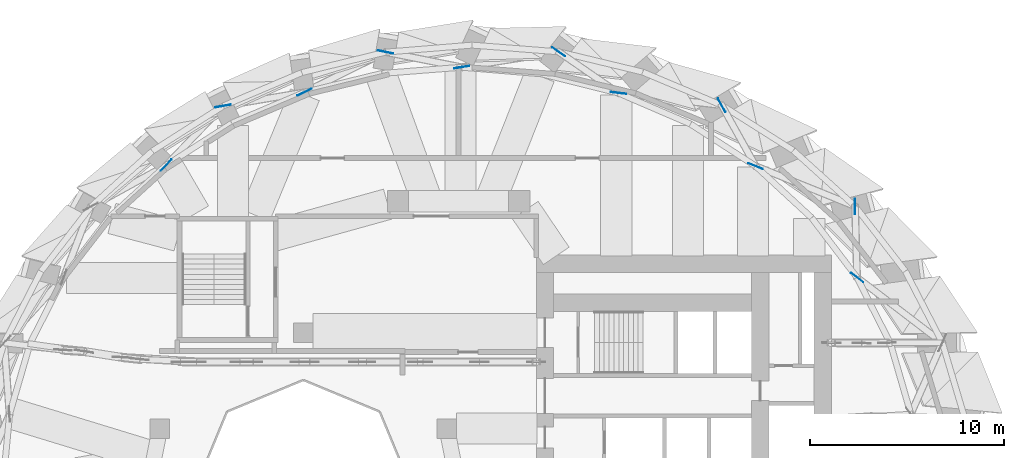
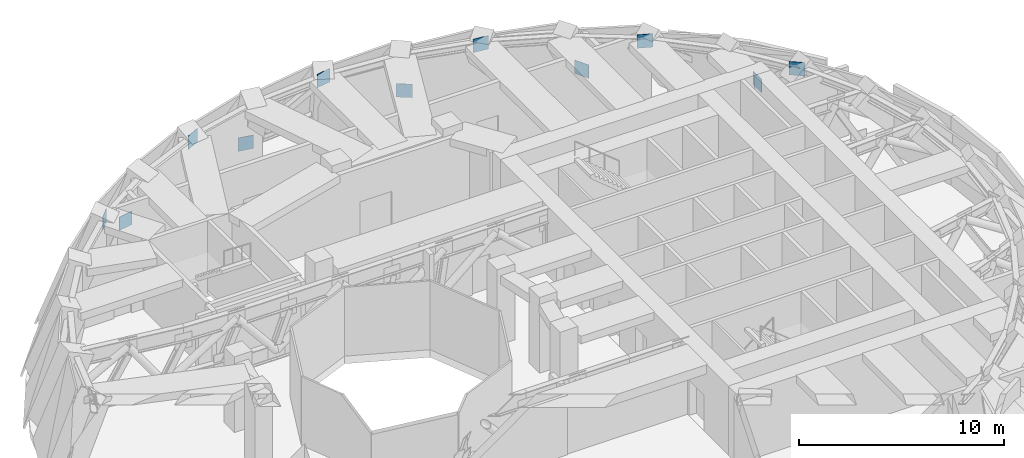
# One storey, part 12 of 14: 11 discrete accessories.
"""IFC4 building model written with IfcOpenShell, lengths in metres."""

from ifc_helpers import new_model, si_unit, direction, frame, origin, origin_2d, place, context, subcontext, project, spatial, rectangle, extrude, material, type_object, element, save


model = new_model("IFC4")

# Units and contexts
model_context = context("Model", 3, precision=1e-05, world=origin(), true_north=direction((0.0, 1.0)))
body_context = subcontext(model_context, "Body", "Model", "MODEL_VIEW")
ifc_project = project(units=[si_unit("LENGTHUNIT", "METRE"), si_unit("AREAUNIT", "SQUARE_METRE"), si_unit("VOLUMEUNIT", "CUBIC_METRE"), si_unit("PLANEANGLEUNIT", "RADIAN"), si_unit("MASSUNIT", "GRAM", prefix="KILO")], contexts=[model_context])

# Site, building, storey
site_placement = place(None, origin())
site = spatial("IfcSite", under=ifc_project, at=site_placement, CompositionType="ELEMENT")
building_placement = place(site_placement, origin())
building = spatial("IfcBuilding", under=site, at=building_placement, Name="Taillehof Tower", CompositionType="ELEMENT")
storey_placement = place(building_placement, frame((0.0, 0.0, 135.10009765625)))
storey = spatial("IfcBuildingStorey", under=building, at=storey_placement, Name="L38", CompositionType="ELEMENT", Elevation=135.10009765625)

# Discrete accessories
ifc_material = material(Name="Steel S460M", Category="steel")
discrete_accessory_type = type_object("IfcDiscreteAccessoryType", Name="Steel gusset plate", PredefinedType="BRACKET", material=ifc_material)
for number, where, z_axis, x_axis, name in (
    (1, (-15.070068359375, 16.6298828125, 3.4697265625), (0.0, 0.0, 1.0), (-0.693011871133, -0.720926172689, 0.0), "Gusset plate 154"),
    (2, (-12.1298828125, 19.679931640625, 0.5), (0.0, 0.0, 1.0), (-0.986187197583, -0.165634571646, 0.0), "Gusset plate 159"),
    (3, (-7.93994140625, 20.389892578125, 3.4697265625), (0.0, 0.0, 1.0), (-0.896009556408, -0.444034767586, 0.0), "Gusset plate 162"),
    (4, (-3.760009765625, 22.4599609375, 0.5), (0.0, 0.0, 1.0), (-0.980913096018, 0.194446645796, 0.0), "Gusset plate 168"),
    (5, (0.159912109375, 21.679931640625, 3.4697265625), (0.0, 0.0, 1.0), (-0.987577242599, -0.157134305296, 0.0), "Gusset plate 174"),
    (6, (5.14990234375, 22.469970703125, 0.5), (0.0, 0.0, 1.0), (-0.82348111054, 0.567343688238, 0.0), "Gusset plate 179"),
    (7, (8.22998046875, 20.35009765625, 3.4697265625), (0.0, 0.0, 1.0), (-0.993016665257, 0.117974160395, 0.0), "Gusset plate 182"),
    (8, (13.550048828125, 19.719970703125, 0.5), (0.0, 0.0, 1.0), (-0.48630182962, 0.873790896329, 0.0), "Gusset plate 183"),
    (9, (15.300048828125, 16.580078125, 3.4697265625), (0.0, 0.0, 1.0), (-0.927250528682, 0.374441526888, 0.0), "Gusset plate 186"),
    (10, (20.419921875, 14.510009765625, 0.5), (0.0, 0.0, 1.0), (-0.027878022478, 0.9996113324, 0.0), "Gusset plate 191"),
    (11, (20.530029296875, 10.840087890625, 3.4697265625), (0.0, 0.0, 1.0), (-0.794467621051, 0.607306511657, 0.0), "Gusset plate 194"),
):
    element("IfcDiscreteAccessory", number, at=place(storey_placement, frame(where, z_axis=z_axis, x_axis=x_axis)), inside=storey, type_object=discrete_accessory_type, Name=name, PredefinedType="BRACKET", context=body_context, shape_type="SweptSolid", body=[
        extrude(rectangle(XDim=0.800048828125, YDim=0.02490234375, at=origin_2d()), origin(), (0.0, 0.0, 1.0), 0.800048828125),
    ])

save(model, "model.ifc")
